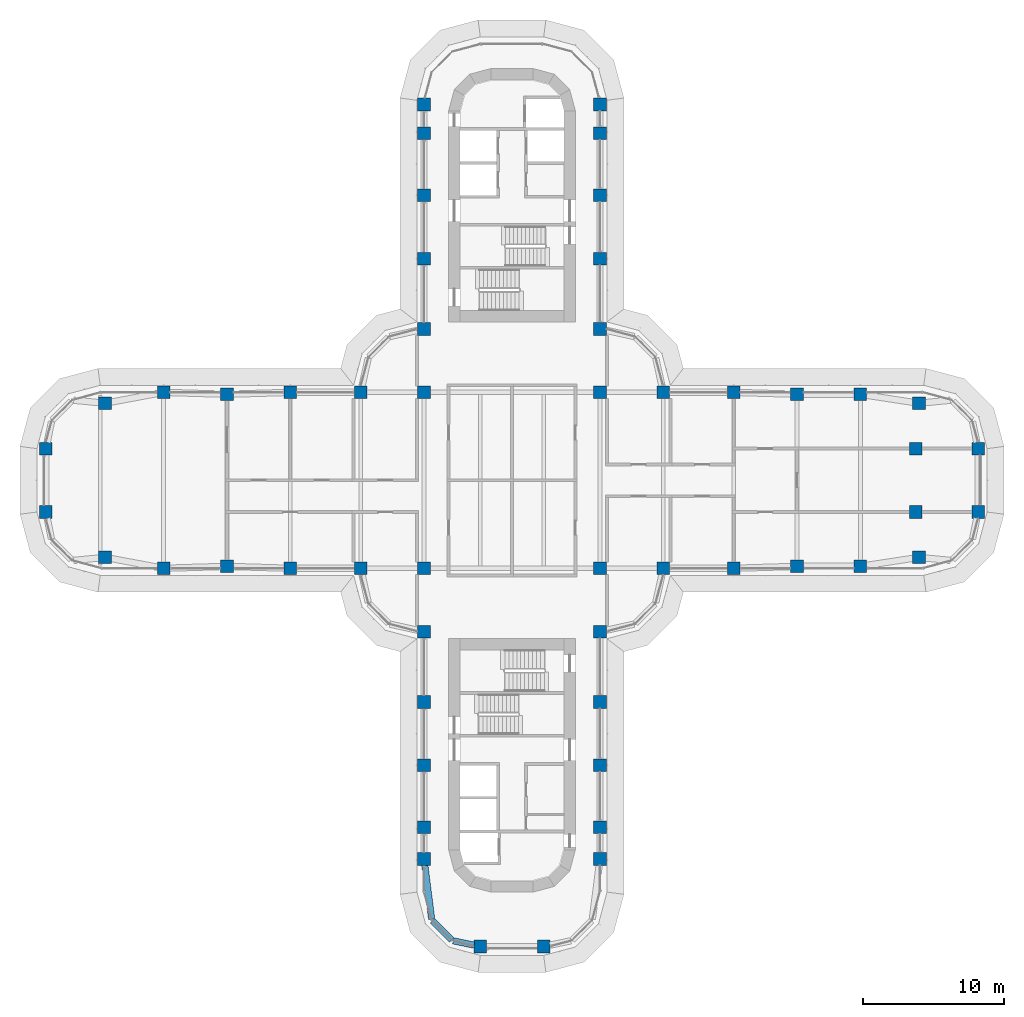
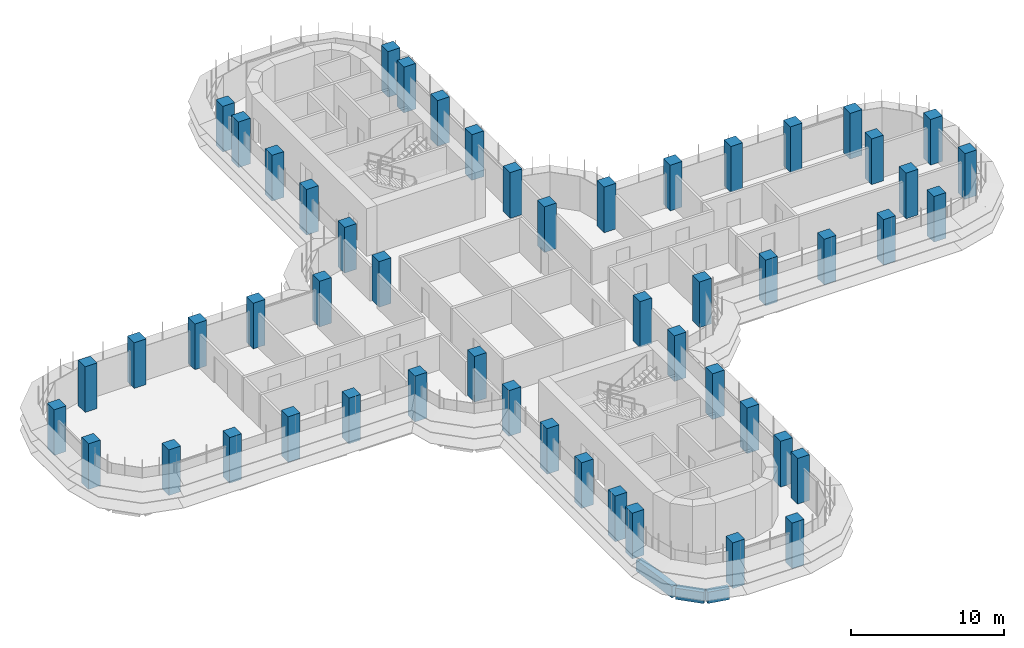
# One storey, part 1 of 22: 52 columns, 3 beams.
"""IFC4 building model written with IfcOpenShell, lengths in metres."""

from ifc_helpers import new_model, si_unit, direction, frame, origin, origin_2d, place, context, subcontext, project, spatial, rectangle, extrude, material, material_profile, profile_set, type_object, element, save


model = new_model("IFC4")

# Units and contexts
model_context = context("Model", 3, precision=1e-05, world=origin(), true_north=direction((0.0, 1.0)))
body_context = subcontext(model_context, "Body", "Model", "MODEL_VIEW")
ifc_project = project(units=[si_unit("LENGTHUNIT", "METRE"), si_unit("AREAUNIT", "SQUARE_METRE"), si_unit("VOLUMEUNIT", "CUBIC_METRE"), si_unit("PLANEANGLEUNIT", "RADIAN"), si_unit("MASSUNIT", "GRAM", prefix="KILO")], contexts=[model_context])

# Site, building, storey
site_placement = place(None, origin())
site = spatial("IfcSite", under=ifc_project, at=site_placement, CompositionType="ELEMENT")
building_placement = place(site_placement, origin())
building = spatial("IfcBuilding", under=site, at=building_placement, Name="Zarbagh Exchange Tower", CompositionType="ELEMENT")
storey_placement = place(building_placement, frame((0.0, 0.0, 109.39990234375)))
storey = spatial("IfcBuildingStorey", under=building, at=storey_placement, Name="L25", CompositionType="ELEMENT", Elevation=109.39990234375)

# Columns
ifc_material = material(Name="Concrete C60/75", Category="concrete")
ifc_material_profile_1 = material_profile(ifc_material, rectangle(XDim=0.89990234375, YDim=0.89990234375, at=origin_2d()), Name="RC column 900 x 900 C60/75")
ifc_profile_set_1 = profile_set([ifc_material_profile_1], Name="Concrete C60/75")
column_type = type_object("IfcColumnType", Name="RC column 900 x 900 C60/75", PredefinedType="COLUMN", material=ifc_profile_set_1)
for number, where, z_axis, x_axis, name in (
    (1, (-33.110107421875, -2.25, 0.0), (0.0, 0.0, 1.0), (1.0, 0.0, 0.0), "C3 10/S"),
    (2, (-33.110107421875, 2.25, 0.0), (0.0, 0.0, 1.0), (1.0, 0.0, 0.0), "C3 10/T"),
    (3, (-28.907958984375, -5.47509765625, 0.0), (0.0, 0.0, 1.0), (1.0, 0.0, 0.0), "C3 11/R"),
    (4, (-28.907958984375, 5.47509765625, 0.0), (0.0, 0.0, 1.0), (1.0, 0.0, 0.0), "C3 11/U"),
    (5, (-24.75, -6.25, 0.0), (0.0, 0.0, 1.0), (1.0, 0.0, 0.0), "C3 12/R"),
    (6, (-24.75, 6.25, 0.0), (0.0, 0.0, 1.0), (1.0, 0.0, 0.0), "C3 12/U"),
    (7, (-20.25, -6.110107421875, 0.0), (0.0, 0.0, 1.0), (1.0, 0.0, 0.0), "C3 13/R"),
    (8, (-20.25, 6.110107421875, 0.0), (0.0, 0.0, 1.0), (1.0, 0.0, 0.0), "C3 13/U"),
    (9, (-15.75, -6.25, 0.0), (0.0, 0.0, 1.0), (1.0, 0.0, 0.0), "C3 14/R"),
    (10, (-15.75, 6.25, 0.0), (0.0, 0.0, 1.0), (1.0, 0.0, 0.0), "C3 14/U"),
    (11, (-10.75, -6.25, 0.0), (0.0, 0.0, 1.0), (1.0, 0.0, 0.0), "C3 15/R"),
    (12, (-10.75, 6.25, 0.0), (0.0, 0.0, 1.0), (1.0, 0.0, 0.0), "C3 15/U"),
    (13, (-6.25, -26.89990234375, 0.0), (0.0, 0.0, 1.0), (1.0, 0.0, 0.0), "C3 16/L"),
    (14, (-6.25, -24.64990234375, 0.0), (0.0, 0.0, 1.0), (1.0, 0.0, 0.0), "C3 16/M"),
    (15, (-6.25, -20.25, 0.0), (0.0, 0.0, 1.0), (1.0, 0.0, 0.0), "C3 16/N"),
    (16, (-6.25, -15.75, 0.0), (0.0, 0.0, 1.0), (1.0, 0.0, 0.0), "C3 16/P"),
    (17, (-6.25, -10.75, 0.0), (0.0, 0.0, 1.0), (1.0, 0.0, 0.0), "C3 16/Q"),
    (18, (-6.25, -6.25, 0.0), (0.0, 0.0, 1.0), (1.0, 0.0, 0.0), "C3 16/R"),
    (19, (-6.25, 6.25, 0.0), (0.0, 0.0, 1.0), (1.0, 0.0, 0.0), "C3 16/U"),
    (20, (-6.25, 10.75, 0.0), (0.0, 0.0, 1.0), (1.0, 0.0, 0.0), "C3 16/V"),
    (21, (-6.25, 15.75, 0.0), (0.0, 0.0, 1.0), (1.0, 0.0, 0.0), "C3 16/W"),
    (22, (-6.25, 20.25, 0.0), (0.0, 0.0, 1.0), (1.0, 0.0, 0.0), "C3 16/X"),
    (23, (-6.25, 24.64990234375, 0.0), (0.0, 0.0, 1.0), (1.0, 0.0, 0.0), "C3 16/Y"),
    (24, (-6.25, 26.699951171875, 0.0), (0.0, 0.0, 1.0), (1.0, 0.0, 0.0), "C3 16/Z"),
    (25, (-2.25, -33.110107421875, 0.0), (0.0, 0.0, 1.0), (1.0, 0.0, 0.0), "C3 17/K"),
    (26, (2.25, -33.110107421875, 0.0), (0.0, 0.0, 1.0), (1.0, 0.0, 0.0), "C3 18/K"),
    (27, (6.25, -26.89990234375, 0.0), (0.0, 0.0, 1.0), (1.0, 0.0, 0.0), "C3 19/L"),
    (28, (6.25, -24.64990234375, 0.0), (0.0, 0.0, 1.0), (1.0, 0.0, 0.0), "C3 19/M"),
    (29, (6.25, -20.25, 0.0), (0.0, 0.0, 1.0), (1.0, 0.0, 0.0), "C3 19/N"),
    (30, (6.25, -15.75, 0.0), (0.0, 0.0, 1.0), (1.0, 0.0, 0.0), "C3 19/P"),
    (31, (6.25, -10.75, 0.0), (0.0, 0.0, 1.0), (1.0, 0.0, 0.0), "C3 19/Q"),
    (32, (6.25, -6.25, 0.0), (0.0, 0.0, 1.0), (1.0, 0.0, 0.0), "C3 19/R"),
    (33, (6.25, 6.25, 0.0), (0.0, 0.0, 1.0), (1.0, 0.0, 0.0), "C3 19/U"),
    (34, (6.25, 10.75, 0.0), (0.0, 0.0, 1.0), (1.0, 0.0, 0.0), "C3 19/V"),
    (35, (6.25, 15.75, 0.0), (0.0, 0.0, 1.0), (1.0, 0.0, 0.0), "C3 19/W"),
    (36, (6.25, 20.25, 0.0), (0.0, 0.0, 1.0), (1.0, 0.0, 0.0), "C3 19/X"),
    (37, (6.25, 24.64990234375, 0.0), (0.0, 0.0, 1.0), (1.0, 0.0, 0.0), "C3 19/Y"),
    (38, (6.25, 26.699951171875, 0.0), (0.0, 0.0, 1.0), (1.0, 0.0, 0.0), "C3 19/Z"),
    (39, (10.75, -6.25, 0.0), (0.0, 0.0, 1.0), (1.0, 0.0, 0.0), "C3 20/R"),
    (40, (10.75, 6.25, 0.0), (0.0, 0.0, 1.0), (1.0, 0.0, 0.0), "C3 20/U"),
    (41, (15.75, -6.25, 0.0), (0.0, 0.0, 1.0), (1.0, 0.0, 0.0), "C3 21/R"),
    (42, (15.75, 6.25, 0.0), (0.0, 0.0, 1.0), (1.0, 0.0, 0.0), "C3 21/U"),
    (43, (20.25, -6.110107421875, 0.0), (0.0, 0.0, 1.0), (1.0, 0.0, 0.0), "C3 22/R"),
    (44, (20.25, 6.110107421875, 0.0), (0.0, 0.0, 1.0), (1.0, 0.0, 0.0), "C3 22/U"),
    (45, (24.75, -6.110107421875, 0.0), (0.0, 0.0, 1.0), (1.0, 0.0, 0.0), "C3 23/R"),
    (46, (24.75, 6.110107421875, 0.0), (0.0, 0.0, 1.0), (1.0, 0.0, 0.0), "C3 23/U"),
    (47, (28.907958984375, -5.47509765625, 0.0), (0.0, 0.0, 1.0), (1.0, 0.0, 0.0), "C3 24/R"),
    (48, (28.669921875, -2.25, 0.0), (0.0, 0.0, 1.0), (1.0, 0.0, 0.0), "C3 24/S"),
    (49, (28.669921875, 2.25, 0.0), (0.0, 0.0, 1.0), (1.0, 0.0, 0.0), "C3 24/T"),
    (50, (28.907958984375, 5.47509765625, 0.0), (0.0, 0.0, 1.0), (1.0, 0.0, 0.0), "C3 24/U"),
    (51, (33.110107421875, -2.25, 0.0), (0.0, 0.0, 1.0), (1.0, 0.0, 0.0), "C3 25/S"),
    (52, (33.110107421875, 2.25, 0.0), (0.0, 0.0, 1.0), (1.0, 0.0, 0.0), "C3 25/T"),
):
    element("IfcColumn", number, at=place(storey_placement, frame(where, z_axis=z_axis, x_axis=x_axis)), inside=storey, type_object=column_type, Name=name, PredefinedType="COLUMN", context=body_context, shape_type="SweptSolid", body=[
        extrude(rectangle(XDim=0.89990234375, YDim=0.89990234375, at=origin_2d()), origin(), (0.0, 0.0, 1.0), 3.650146484375),
    ])

# Beams
ifc_material_profile_2 = material_profile(ifc_material, rectangle(XDim=0.449951171875, YDim=0.89990234375, at=origin_2d()), Name="RC spandrel beam 450 x 900 C60/75")
ifc_profile_set_2 = profile_set([ifc_material_profile_2], Name="Concrete C60/75")
beam_type = type_object("IfcBeamType", Name="RC spandrel beam 450 x 900 C60/75", PredefinedType="SPANDREL", material=ifc_profile_set_2)
beam_1_placement = place(storey_placement, frame((-2.690673828125, -33.01904296875, -0.599853515625), z_axis=(-0.979328675816, 0.202275417995, 0.0), x_axis=(-0.202275417995, -0.979328675816, 0.0)))
element("IfcBeam", 53, at=beam_1_placement, inside=storey, type_object=beam_type, Name="RC spandrel beam", PredefinedType="SPANDREL", context=body_context, shape_type="SweptSolid", body=[
    extrude(rectangle(XDim=0.449951171875, YDim=0.89990234375, at=origin_2d()), origin(), (0.0, 0.0, 1.0), 1.515869140625),
])
beam_2_placement = place(storey_placement, frame((-4.288818359375, -32.651123046875, -0.599853515625), z_axis=(-0.707106781187, 0.707106781187, 0.0), x_axis=(-0.707106781187, -0.707106781187, 0.0)))
element("IfcBeam", 54, at=beam_2_placement, inside=storey, type_object=beam_type, Name="RC spandrel beam", PredefinedType="SPANDREL", context=body_context, shape_type="SweptSolid", body=[
    extrude(rectangle(XDim=0.449951171875, YDim=0.89990234375, at=origin_2d()), origin(), (0.0, 0.0, 1.0), 1.9169921875),
])
beam_3_placement = place(storey_placement, frame((-5.70849609375, -31.164794921875, -0.599853515625), z_axis=(-0.12597055537, 0.992033980859, 0.0), x_axis=(-0.992033980859, -0.12597055537, 0.0)))
element("IfcBeam", 55, at=beam_3_placement, inside=storey, type_object=beam_type, Name="RC spandrel beam", PredefinedType="SPANDREL", context=body_context, shape_type="SweptSolid", body=[
    extrude(rectangle(XDim=0.449951171875, YDim=0.89990234375, at=origin_2d()), origin(), (0.0, 0.0, 1.0), 3.84912109375),
])

save(model, "model.ifc")
